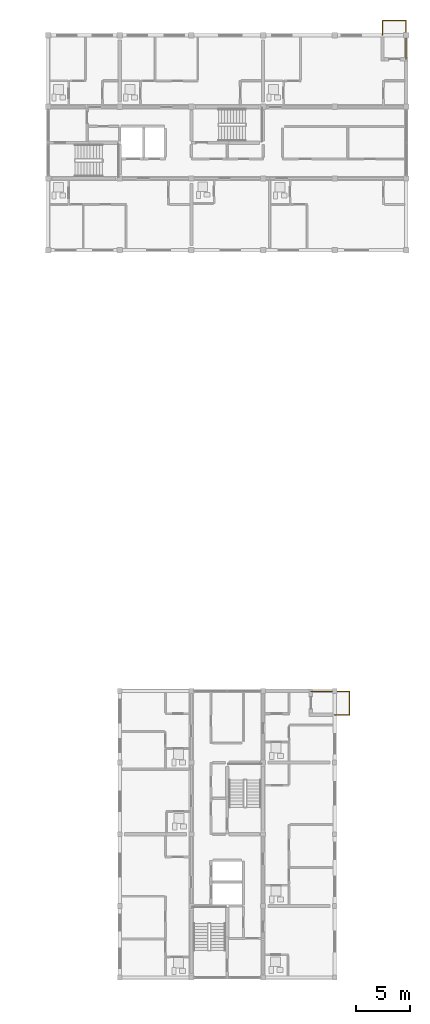
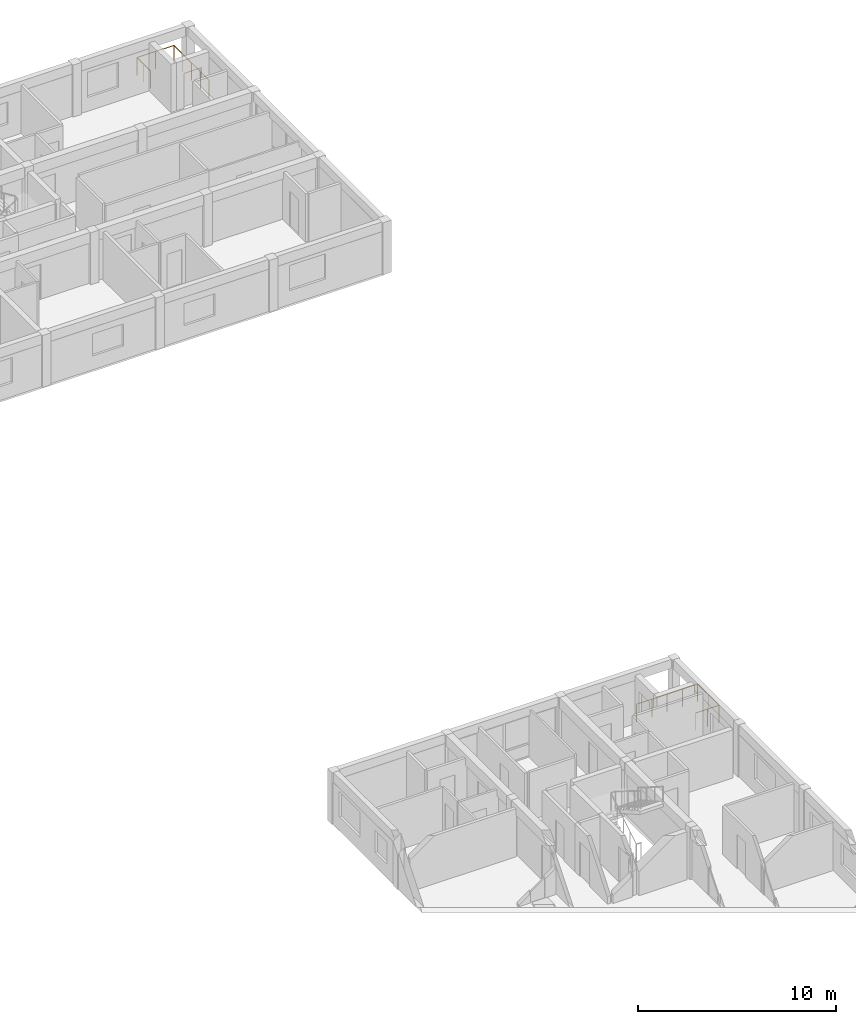
# One storey, part 44 of 45: 2 railings.
"""IFC4 building model written with IfcOpenShell, lengths in metres."""

from ifc_helpers import new_model, si_unit, direction, frame, origin, origin_2d, place, context, subcontext, project, spatial, circle, extrude, material, type_object, element, save


model = new_model("IFC4")

# Units and contexts
model_context = context("Model", 3, precision=1e-05, world=origin(), true_north=direction((0.0, 1.0)))
body_context = subcontext(model_context, "Body", "Model", "MODEL_VIEW")
ifc_project = project(units=[si_unit("LENGTHUNIT", "METRE"), si_unit("AREAUNIT", "SQUARE_METRE"), si_unit("VOLUMEUNIT", "CUBIC_METRE"), si_unit("PLANEANGLEUNIT", "RADIAN"), si_unit("MASSUNIT", "GRAM", prefix="KILO")], contexts=[model_context])

# Site, building, storey
site_placement = place(None, origin())
site = spatial("IfcSite", under=ifc_project, at=site_placement, CompositionType="ELEMENT")
building_placement = place(site_placement, origin())
building = spatial("IfcBuilding", under=site, at=building_placement, Name="Kernevlak Ridge Housing Community", CompositionType="ELEMENT")
storey_placement = place(building_placement, frame((0.0, 0.0, 21.199951171875)))
storey = spatial("IfcBuildingStorey", under=building, at=storey_placement, Name="L06", CompositionType="ELEMENT", Elevation=21.199951171875)

# Railings
ifc_material = material(Name="Steel S355", Category="steel")
railing_type = type_object("IfcRailingType", Name="BL-01", PredefinedType="BALUSTRADE", material=ifc_material)
railing_1_placement = place(storey_placement, frame((150.199951171875, 102.39990234375, 0.0)))
element("IfcRailing", 1, at=railing_1_placement, inside=storey, type_object=railing_type, Name="Block B L06 balcony balustrade BL-01 24", PredefinedType="BALUSTRADE", context=body_context, shape_type="SweptSolid", body=[
    extrude(circle(Radius=0.02392578125, at=origin_2d()), frame((0.0, 0.0, 1.076171875), z_axis=(0.0, 1.0, 0.0), x_axis=(-1.0, 0.0, 0.0)), (0.0, 0.0, 1.0), 1.35009765625),
    extrude(circle(Radius=0.02392578125, at=origin_2d()), frame((0.0, 1.35009765625, 1.076171875), z_axis=(1.0, 0.0, 0.0), x_axis=(0.0, 1.0, 0.0)), (0.0, 0.0, 1.0), 2.150146484375),
    extrude(circle(Radius=0.02392578125, at=origin_2d()), frame((2.150146484375, 1.35009765625, 1.076171875), z_axis=(0.0, -1.0, 0.0), x_axis=(1.0, 0.0, 0.0)), (0.0, 0.0, 1.0), 3.550048828125),
    extrude(circle(Radius=0.02099609375, at=origin_2d()), origin(), (0.0, 0.0, 1.0), 1.052001953125),
    extrude(circle(Radius=0.02099609375, at=origin_2d()), frame((0.0, 0.675048828125, 0.0)), (0.0, 0.0, 1.0), 1.052001953125),
    extrude(circle(Radius=0.02099609375, at=origin_2d()), frame((0.0, 1.35009765625, 0.0)), (0.0, 0.0, 1.0), 1.052001953125),
    extrude(circle(Radius=0.02099609375, at=origin_2d()), frame((1.0751953125, 1.35009765625, 0.0)), (0.0, 0.0, 1.0), 1.052001953125),
    extrude(circle(Radius=0.02099609375, at=origin_2d()), frame((2.150146484375, 1.35009765625, 0.0)), (0.0, 0.0, 1.0), 1.052001953125),
    extrude(circle(Radius=0.02099609375, at=origin_2d()), frame((2.150146484375, 0.462646484375, 0.0)), (0.0, 0.0, 1.0), 1.052001953125),
    extrude(circle(Radius=0.02099609375, at=origin_2d()), frame((2.150146484375, -0.4248046875, 0.0)), (0.0, 0.0, 1.0), 1.052001953125),
    extrude(circle(Radius=0.02099609375, at=origin_2d()), frame((2.150146484375, -1.3125, 0.0)), (0.0, 0.0, 1.0), 1.052001953125),
    extrude(circle(Radius=0.02099609375, at=origin_2d()), frame((2.150146484375, -2.199951171875, 0.0)), (0.0, 0.0, 1.0), 1.052001953125),
])
railing_2_placement = place(storey_placement, frame((145.800048828125, 39.800048828125, 0.0)))
element("IfcRailing", 2, at=railing_2_placement, inside=storey, type_object=railing_type, Name="Block C L06 balcony balustrade BL-01 39", PredefinedType="BALUSTRADE", context=body_context, shape_type="SweptSolid", body=[
    extrude(circle(Radius=0.02392578125, at=origin_2d()), frame((0.0, 0.0, 1.076171875), z_axis=(1.0, 0.0, 0.0), x_axis=(0.0, 1.0, 0.0)), (0.0, 0.0, 1.0), 1.349853515625),
    extrude(circle(Radius=0.02392578125, at=origin_2d()), frame((1.349853515625, 0.0, 1.076171875), z_axis=(0.0, 1.0, 0.0), x_axis=(-1.0, 0.0, 0.0)), (0.0, 0.0, 1.0), 2.14990234375),
    extrude(circle(Radius=0.02392578125, at=origin_2d()), frame((1.349853515625, 2.14990234375, 1.076171875), z_axis=(-1.0, 0.0, 0.0), x_axis=(0.0, -1.0, 0.0)), (0.0, 0.0, 1.0), 3.5498046875),
    extrude(circle(Radius=0.02099609375, at=origin_2d()), origin(), (0.0, 0.0, 1.0), 1.052001953125),
    extrude(circle(Radius=0.02099609375, at=origin_2d()), frame((0.6748046875, 0.0, 0.0)), (0.0, 0.0, 1.0), 1.052001953125),
    extrude(circle(Radius=0.02099609375, at=origin_2d()), frame((1.349853515625, 0.0, 0.0)), (0.0, 0.0, 1.0), 1.052001953125),
    extrude(circle(Radius=0.02099609375, at=origin_2d()), frame((1.349853515625, 1.074951171875, 0.0)), (0.0, 0.0, 1.0), 1.052001953125),
    extrude(circle(Radius=0.02099609375, at=origin_2d()), frame((1.349853515625, 2.14990234375, 0.0)), (0.0, 0.0, 1.0), 1.052001953125),
    extrude(circle(Radius=0.02099609375, at=origin_2d()), frame((0.46240234375, 2.14990234375, 0.0)), (0.0, 0.0, 1.0), 1.052001953125),
    extrude(circle(Radius=0.02099609375, at=origin_2d()), frame((-0.425048828125, 2.14990234375, 0.0)), (0.0, 0.0, 1.0), 1.052001953125),
    extrude(circle(Radius=0.02099609375, at=origin_2d()), frame((-1.3125, 2.14990234375, 0.0)), (0.0, 0.0, 1.0), 1.052001953125),
    extrude(circle(Radius=0.02099609375, at=origin_2d()), frame((-2.199951171875, 2.14990234375, 0.0)), (0.0, 0.0, 1.0), 1.052001953125),
])

save(model, "model.ifc")
